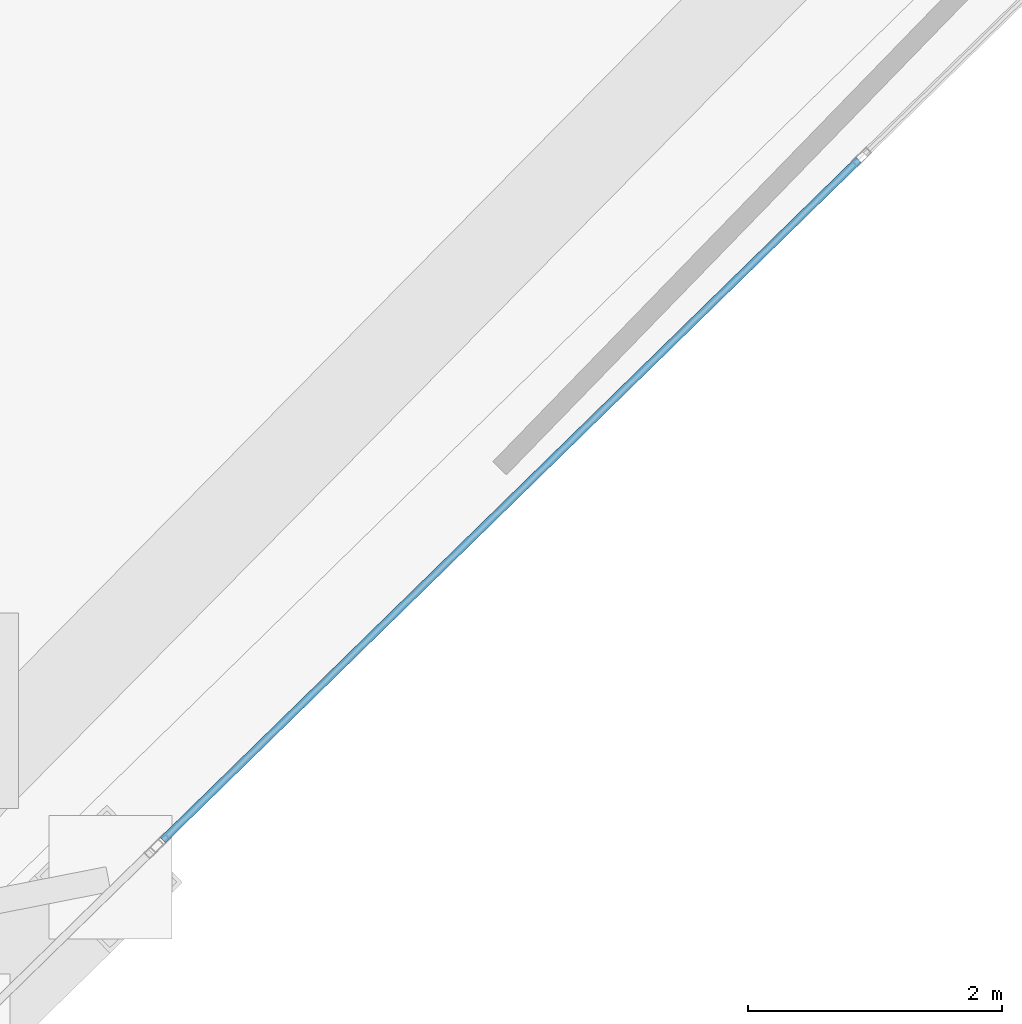
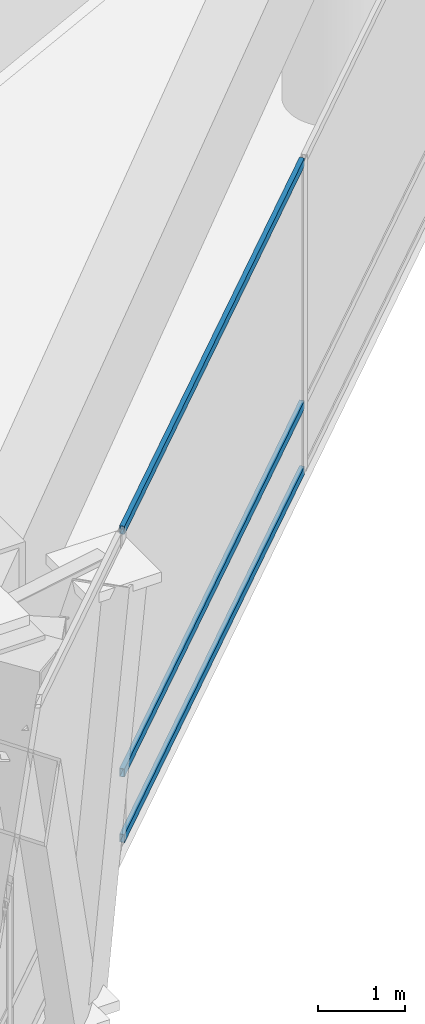
# One storey, part 6 of 20: 3 members, 1 element without a shape of its own.
"""IFC4 building model written with IfcOpenShell, lengths in metres."""

from ifc_helpers import new_model, si_unit, direction, frame, origin, origin_2d, place, context, subcontext, project, spatial, hollow_rectangle, extrude, material, layer, layer_set, material_profile, profile_set, type_object, element, aggregate, save


model = new_model("IFC4")

# Units and contexts
model_context = context("Model", 3, precision=1e-05, world=origin(), true_north=direction((0.0, 1.0)))
body_context = subcontext(model_context, "Body", "Model", "MODEL_VIEW")
ifc_project = project(units=[si_unit("LENGTHUNIT", "METRE"), si_unit("AREAUNIT", "SQUARE_METRE"), si_unit("VOLUMEUNIT", "CUBIC_METRE"), si_unit("PLANEANGLEUNIT", "RADIAN"), si_unit("MASSUNIT", "GRAM", prefix="KILO")], contexts=[model_context])

# Site, building, storey
site_placement = place(None, origin())
site = spatial("IfcSite", under=ifc_project, at=site_placement, CompositionType="ELEMENT")
building_placement = place(site_placement, origin())
building = spatial("IfcBuilding", under=site, at=building_placement, Name="Qianvela Tower", CompositionType="ELEMENT")
storey_placement = place(building_placement, frame((0.0, 0.0, 229.89990234375)))
storey = spatial("IfcBuildingStorey", under=building, at=storey_placement, Name="L59", CompositionType="ELEMENT", Elevation=229.89990234375)

# Curtain wall, members
ifc_material_1 = material(Name="Anodised Architectural Aluminium and Low-E Glass", Category="aluminium")
ifc_layer = layer(ifc_material_1, 0.159912109375)
ifc_layer_set = layer_set([ifc_layer], Name="Anodised Architectural Aluminium and Low-E Glass")
curtain_wall_type = type_object("IfcCurtainWallType", Name="CW-COLIV-Z56", PredefinedType="USERDEFINED", material=ifc_layer_set)
curtain_wall_placement = place(storey_placement, origin())
curtain_wall = element("IfcCurtainWall", 1, at=curtain_wall_placement, inside=storey, type_object=curtain_wall_type, Name="L59 CW-COLIV-Z56 Curtain Wall 06C", ObjectType="CURTAIN_WALL_SYSTEM", PredefinedType="USERDEFINED")
ifc_material_2 = material(Name="Anodised Architectural Aluminium 6063-T6", Category="aluminium")
ifc_material_profile = material_profile(ifc_material_2, hollow_rectangle(XDim=0.06005859375, YDim=0.114990234375, WallThickness=0.00390625, at=origin_2d()), Name="ALU-TRAN-60x115")
ifc_profile_set = profile_set([ifc_material_profile], Name="Anodised Architectural Aluminium 6063-T6")
member_type = type_object("IfcMemberType", Name="CW-COLIV-Z56-TRAN", PredefinedType="USERDEFINED", material=ifc_profile_set)
member_1_placement = place(storey_placement, frame((47.36962890625, 19.637451171875, 0.030029296875), z_axis=(0.715044189733, 0.6990792564, 0.0), x_axis=(-0.6990792564, 0.715044189733, 0.0)))
member_1 = element("IfcMember", 2, at=member_1_placement, type_object=member_type, Name="CW-5 transom 1.1", ObjectType="TRANSOM", PredefinedType="USERDEFINED", context=body_context, shape_type="SweptSolid", body=[
    extrude(hollow_rectangle(XDim=0.06005859375, YDim=0.114990234375, WallThickness=0.00390625, at=origin_2d()), origin(), (0.0, 0.0, 1.0), 7.661376953125),
])
member_2_placement = place(storey_placement, frame((47.36962890625, 19.637451171875, 0.9501953125), z_axis=(0.715044189733, 0.6990792564, 0.0), x_axis=(-0.6990792564, 0.715044189733, 0.0)))
member_2 = element("IfcMember", 3, at=member_2_placement, type_object=member_type, Name="CW-5 transom 1.2", ObjectType="TRANSOM", PredefinedType="USERDEFINED", context=body_context, shape_type="SweptSolid", body=[
    extrude(hollow_rectangle(XDim=0.06005859375, YDim=0.114990234375, WallThickness=0.00390625, at=origin_2d()), origin(), (0.0, 0.0, 1.0), 7.661376953125),
])
member_3_placement = place(storey_placement, frame((47.36962890625, 19.637451171875, 4.35009765625), z_axis=(0.715044189733, 0.6990792564, 0.0), x_axis=(-0.6990792564, 0.715044189733, 0.0)))
member_3 = element("IfcMember", 4, at=member_3_placement, type_object=member_type, Name="CW-5 transom 1.3", ObjectType="TRANSOM", PredefinedType="USERDEFINED", context=body_context, shape_type="SweptSolid", body=[
    extrude(hollow_rectangle(XDim=0.06005859375, YDim=0.114990234375, WallThickness=0.00390625, at=origin_2d()), origin(), (0.0, 0.0, 1.0), 7.661376953125),
])
aggregate(curtain_wall, [member_1, member_2, member_3])

save(model, "model.ifc")
